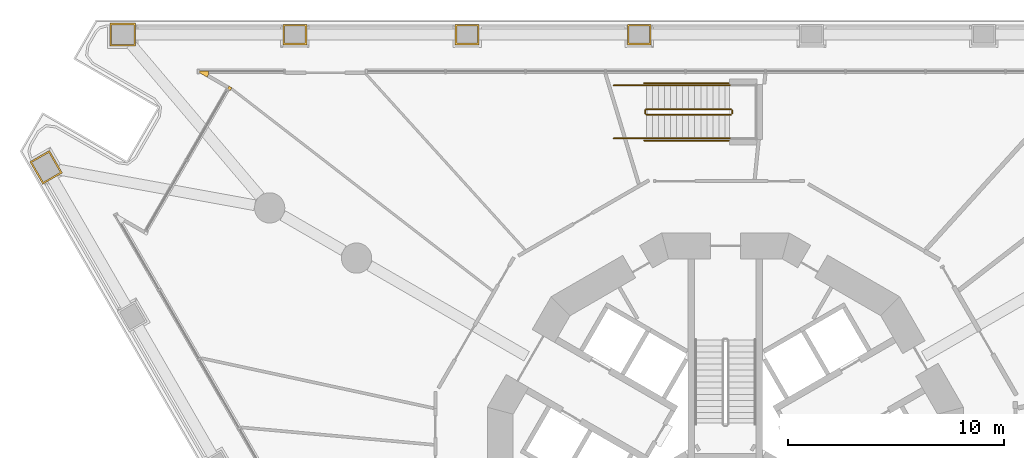
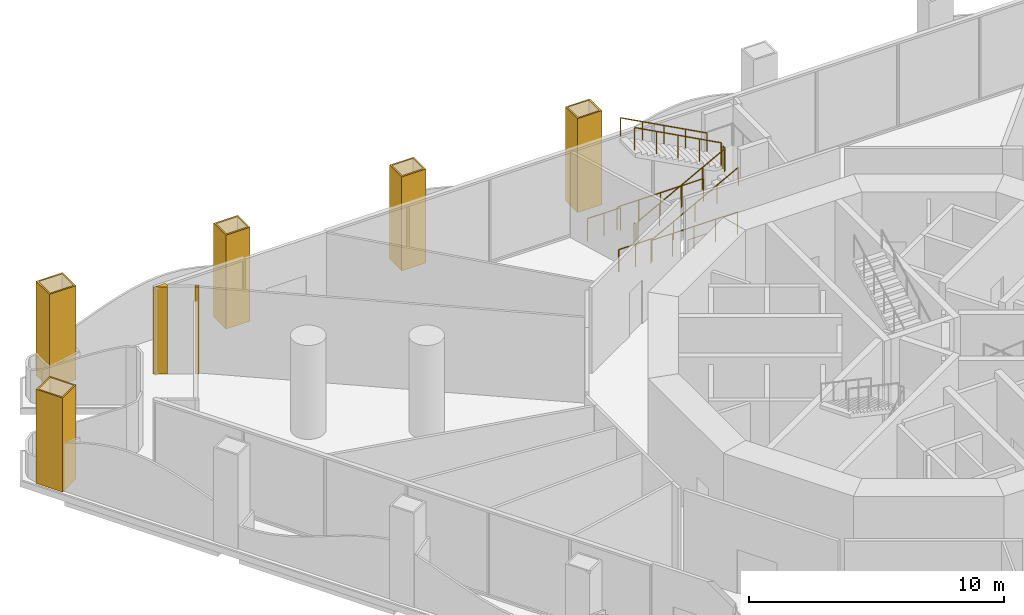
# One storey, part 21 of 23: 10 railings, 7 coverings.
"""IFC4 building model written with IfcOpenShell, lengths in metres."""

import ifcopenshell
import ifcopenshell.guid

model = None  # the IFC model being written
_history = None  # IfcOwnerHistory: only IFC2X3 demands one
_inside = {}  # id of a spatial element -> (the spatial element, [elements in it])
_under = {}  # id of a project, library or spatial element -> (it, [spatial elements below it])
_declared = {}  # id of a project -> (the project, [libraries it declares])
_typed = {}  # id of a type object -> (the type object, [elements of that type])
_made_of = {}  # id of a material, layer set ... -> (it, [elements and type objects made of it])


def new_model(schema):
    """Start an empty IFC model of exactly this schema.

    Asked for "IFC4X3", IfcOpenShell would pick the latest addendum, in which some entities
    have other attributes; the version numbers below select the first issue.
    IFC2X3 requires an IfcOwnerHistory on every rooted entity: one is made here for all.
    """
    global model, _history
    if schema == "IFC4X3":
        model = ifcopenshell.file(schema_version=(4, 3, 0, 0))
    else:
        model = ifcopenshell.file(schema=schema)
    _inside.clear()
    _under.clear()
    _declared.clear()
    _typed.clear()
    _made_of.clear()
    _history = None
    if model.schema == "IFC2X3":
        org = make("IfcOrganization", Name="unknown")
        user = make(
            "IfcPersonAndOrganization",
            ThePerson=make("IfcPerson", FamilyName="unknown"),
            TheOrganization=org,
        )
        app = make(
            "IfcApplication",
            ApplicationDeveloper=org,
            Version="unknown",
            ApplicationFullName="unknown",
            ApplicationIdentifier="unknown",
        )
        _history = make(
            "IfcOwnerHistory",
            OwningUser=user,
            OwningApplication=app,
            ChangeAction="ADDED",
            CreationDate=0,
        )
    return model


def make(cls, **values):
    """One entity of the class cls with the attributes given. An attribute that is None is left unset."""
    return model.create_entity(
        cls, **{name: value for name, value in values.items() if value is not None}
    )


def rooted(cls, **values):
    """An entity with a GlobalId (a new one), such as an element, a storey or a relation."""
    return make(cls, GlobalId=ifcopenshell.guid.new(), OwnerHistory=_history, **values)


def si_unit(unit_type, name, prefix=None):
    """IfcSIUnit, for example si_unit("LENGTHUNIT", "METRE", prefix="MILLI")."""
    return make("IfcSIUnit", UnitType=unit_type, Prefix=prefix, Name=name)


def assignment(units):
    """IfcUnitAssignment: the units of a project."""
    return None if units is None else make("IfcUnitAssignment", Units=units)


def point(xyz):
    """IfcCartesianPoint."""
    return None if xyz is None else make("IfcCartesianPoint", Coordinates=xyz)


def direction(xyz):
    """IfcDirection."""
    return None if xyz is None else make("IfcDirection", DirectionRatios=xyz)


def frame(location, z_axis=None, x_axis=None):
    """IfcAxis2Placement3D, a coordinate frame: its origin and axes. An axis left out is left unset."""
    return make(
        "IfcAxis2Placement3D",
        Location=point(location),
        Axis=direction(z_axis),
        RefDirection=direction(x_axis),
    )


def frame_2d(location, x_axis=None):
    """IfcAxis2Placement2D, a coordinate frame in the plane: its origin and x axis."""
    return make(
        "IfcAxis2Placement2D", Location=point(location), RefDirection=direction(x_axis)
    )


def origin():
    """The frame at (0, 0, 0) with its axes left unset."""
    return frame((0.0, 0.0, 0.0))


def origin_2d():
    """The frame at (0, 0) in the plane with its x axis left unset."""
    return frame_2d((0.0, 0.0))


def place(relative_to, where):
    """IfcLocalPlacement: puts the frame where relative to a parent placement (None: the world)."""
    return make(
        "IfcLocalPlacement", PlacementRelTo=relative_to, RelativePlacement=where
    )


def context(
    kind, dimensions, precision=None, world=None, true_north=None, identifier=None
):
    """IfcGeometricRepresentationContext, for example the 3D "Model" context."""
    return make(
        "IfcGeometricRepresentationContext",
        ContextIdentifier=identifier,
        ContextType=kind,
        CoordinateSpaceDimension=dimensions,
        Precision=precision,
        WorldCoordinateSystem=world,
        TrueNorth=true_north,
    )


def subcontext(parent, identifier, kind, view, scale=None):
    """IfcGeometricRepresentationSubContext, for example "Body" below "Model"."""
    return make(
        "IfcGeometricRepresentationSubContext",
        ContextIdentifier=identifier,
        ContextType=kind,
        ParentContext=parent,
        TargetScale=scale,
        TargetView=view,
    )


def project(units=None, contexts=None):
    """IfcProject with its units and contexts."""
    return rooted(
        "IfcProject",
        Name="project",
        RepresentationContexts=contexts,
        UnitsInContext=assignment(units),
    )


def spatial(cls, under=None, at=None, **own):
    """A site, building, storey or space (cls), placed at a placement, below another one or the project."""
    s = rooted(cls, ObjectPlacement=at, **own)
    if under is not None:
        _under.setdefault(under.id(), (under, []))[1].append(s)
    return s


def polyline(points):
    """IfcPolyline through the points."""
    return make("IfcPolyline", Points=[point(p) for p in points])


def profile(cls, at=None, kind="AREA", **sizes):
    """A parametric profile (cls). Its sizes go by their IFC names, for example OverallWidth=200.0."""
    return make(cls, ProfileType=kind, Position=at, **sizes)


def circle(**sizes):
    """IfcCircleProfileDef."""
    return profile("IfcCircleProfileDef", **sizes)


def outline(outer, holes=None, kind="AREA"):
    """IfcArbitraryClosedProfileDef: a profile drawn as a closed curve; with holes, ...WithVoids."""
    if holes is None:
        return make("IfcArbitraryClosedProfileDef", ProfileType=kind, OuterCurve=outer)
    return make(
        "IfcArbitraryProfileDefWithVoids",
        ProfileType=kind,
        OuterCurve=outer,
        InnerCurves=holes,
    )


def extrude(swept, where, along, depth):
    """IfcExtrudedAreaSolid: the profile swept, set in the frame where, extruded along a direction by depth."""
    return make(
        "IfcExtrudedAreaSolid",
        SweptArea=swept,
        Position=where,
        ExtrudedDirection=direction(along),
        Depth=depth,
    )


def shape(context_of_items, identifier, shape_type, items):
    """IfcShapeRepresentation: the items that make up one representation, for example the "Body"."""
    return make(
        "IfcShapeRepresentation",
        ContextOfItems=context_of_items,
        RepresentationIdentifier=identifier,
        RepresentationType=shape_type,
        Items=items,
    )


def material(Name=None, Category=None):
    """IfcMaterial."""
    return make("IfcMaterial", Name=Name, Category=Category)


def layer(
    of_material, thickness, ventilated=None, Name=None, Category=None, Priority=None
):
    """IfcMaterialLayer: one layer of a wall or slab, of a material (None: an air gap)."""
    return make(
        "IfcMaterialLayer",
        Material=of_material,
        LayerThickness=thickness,
        IsVentilated=ventilated,
        Name=Name,
        Category=Category,
        Priority=Priority,
    )


def layer_set(layers, Name=None):
    """IfcMaterialLayerSet."""
    return make("IfcMaterialLayerSet", MaterialLayers=layers, LayerSetName=Name)


def made_of(thing, what):
    """Note that an element or type object is made of a material, layer set ...; save() writes the relation."""
    if what is not None:
        _made_of.setdefault(what.id(), (what, []))[1].append(thing)
    return thing


def type_object(cls, material=None, **own):
    """A type object (cls), such as IfcWallType, which elements share."""
    return made_of(rooted(cls, **own), material)


def element(
    cls,
    number,
    at=None,
    inside=None,
    cuts=None,
    type_object=None,
    material=None,
    context=None,
    identifier="Body",
    shape_type=None,
    held_by="IfcProductDefinitionShape",
    body=None,
    shapes=None,
    **own,
):
    """One element of the class cls, such as IfcWall. Its Tag is "e" and its number.

    at: its placement. inside: the storey or other place that contains it. cuts: it is an
    opening in that element (IfcRelVoidsElement). A single representation is given by context,
    identifier, shape_type and body (its items); several are given by shapes. held_by: the class
    of the entity that holds the representations. save() writes the other relations.
    """
    e = rooted(cls, Tag="e%d" % number, ObjectPlacement=at, **own)
    if body is not None:
        shapes = [shape(context, identifier, shape_type, body)]
    if shapes is not None:
        e.Representation = make(held_by, Representations=shapes)
    if inside is not None:
        _inside.setdefault(inside.id(), (inside, []))[1].append(e)
    if cuts is not None:
        rooted(
            "IfcRelVoidsElement", RelatingBuildingElement=cuts, RelatedOpeningElement=e
        )
    if type_object is not None:
        _typed.setdefault(type_object.id(), (type_object, []))[1].append(e)
    return made_of(e, material)


def aggregate(whole, parts):
    """IfcRelAggregates: a whole, such as a stair, and the parts it consists of."""
    return rooted("IfcRelAggregates", RelatingObject=whole, RelatedObjects=parts)


def save(model, path):
    """Write the relations noted so far, then the file.

    IfcRelAggregates (storeys below a building ...), IfcRelContainedInSpatialStructure (elements
    in a storey), IfcRelDefinesByType, IfcRelAssociatesMaterial and IfcRelDeclares: one each for
    every whole, place, type object, material and project.
    """
    for whole, parts in _under.values():
        aggregate(whole, parts)
    for where, things in _inside.values():
        rooted(
            "IfcRelContainedInSpatialStructure",
            RelatedElements=things,
            RelatingStructure=where,
        )
    for kind, things in _typed.values():
        rooted("IfcRelDefinesByType", RelatedObjects=things, RelatingType=kind)
    for what, things in _made_of.values():
        rooted("IfcRelAssociatesMaterial", RelatedObjects=things, RelatingMaterial=what)
    for by, libraries in _declared.values():
        rooted("IfcRelDeclares", RelatingContext=by, RelatedDefinitions=libraries)
    model.write(path)


model = new_model("IFC4")

# Units and contexts
model_context = context("Model", 3, precision=1e-05, world=origin(), true_north=direction((0.0, 1.0)))
body_context = subcontext(model_context, "Body", "Model", "MODEL_VIEW")
ifc_project = project(units=[si_unit("LENGTHUNIT", "METRE"), si_unit("AREAUNIT", "SQUARE_METRE"), si_unit("VOLUMEUNIT", "CUBIC_METRE"), si_unit("PLANEANGLEUNIT", "RADIAN"), si_unit("MASSUNIT", "GRAM", prefix="KILO")], contexts=[model_context])

# Site, building, storey
site_placement = place(None, origin())
site = spatial("IfcSite", under=ifc_project, at=site_placement, CompositionType="ELEMENT")
building_placement = place(site_placement, origin())
building = spatial("IfcBuilding", under=site, at=building_placement, Name="Trine Commons Tower", CompositionType="ELEMENT")
storey_placement = place(building_placement, frame((0.0, 0.0, 18.0)))
storey = spatial("IfcBuildingStorey", under=building, at=storey_placement, Name="L03", CompositionType="ELEMENT", Elevation=18.0)

# Railings
ifc_material_1 = material(Name="Structural steel ASTM A500 Gr C", Category="steel")
railing_type_1 = type_object("IfcRailingType", Name="Glass and steel guard 1100 mm, ASTM A500 Gr C", PredefinedType="GUARDRAIL", material=ifc_material_1)
railing_1_placement = place(storey_placement, frame((76.340087890625, 78.985107421875, 0.14990234375)))
element("IfcRailing", 1, at=railing_1_placement, inside=storey, type_object=railing_type_1, Name="L03 PS1 stair guard 1", PredefinedType="GUARDRAIL", context=body_context, shape_type="SweptSolid", body=[
    extrude(circle(Radius=0.02392578125, at=origin_2d()), frame((0.0, 0.0, 1.076171875), z_axis=(0.881466911329, 0.0, 0.472245787945), x_axis=(0.0, 1.0, 0.0)), (0.0, 0.0, 1.0), 4.447021484375),
    extrude(circle(Radius=0.02099609375, at=origin_2d()), origin(), (0.0, 0.0, 1.0), 1.052001953125),
    extrude(circle(Radius=0.02099609375, at=origin_2d()), frame((0.97998046875, 0.0, 0.52490234375)), (0.0, 0.0, 1.0), 1.052001953125),
    extrude(circle(Radius=0.02099609375, at=origin_2d()), frame((1.9599609375, 0.0, 1.050048828125)), (0.0, 0.0, 1.0), 1.052001953125),
    extrude(circle(Radius=0.02099609375, at=origin_2d()), frame((2.93994140625, 0.0, 1.5751953125)), (0.0, 0.0, 1.0), 1.052001953125),
    extrude(circle(Radius=0.02099609375, at=origin_2d()), frame((3.919921875, 0.0, 2.10009765625)), (0.0, 0.0, 1.0), 1.052001953125),
])
railing_2_placement = place(storey_placement, frame((80.31005859375, 79.034912109375, 2.25)))
element("IfcRailing", 2, at=railing_2_placement, inside=storey, type_object=railing_type_1, Name="L03 PS1 stair guard 2", PredefinedType="GUARDRAIL", context=body_context, shape_type="SweptSolid", body=[
    extrude(circle(Radius=0.02392578125, at=origin_2d()), frame((0.0, 0.0, 1.076171875), z_axis=(0.0, 1.0, 0.0), x_axis=(-1.0, 0.0, 0.0)), (0.0, 0.0, 1.0), 0.150146484375),
    extrude(circle(Radius=0.02099609375, at=origin_2d()), origin(), (0.0, 0.0, 1.0), 1.052001953125),
    extrude(circle(Radius=0.02099609375, at=origin_2d()), frame((0.0, 0.150146484375, 0.0)), (0.0, 0.0, 1.0), 1.052001953125),
])
railing_3_placement = place(storey_placement, frame((80.260009765625, 79.235107421875, 2.39990234375)))
element("IfcRailing", 3, at=railing_3_placement, inside=storey, type_object=railing_type_1, Name="L03 PS1 stair guard 6", PredefinedType="GUARDRAIL", context=body_context, shape_type="SweptSolid", body=[
    extrude(circle(Radius=0.02392578125, at=origin_2d()), frame((0.0, 0.0, 1.076171875), z_axis=(-0.881466911329, 0.0, 0.472245787945), x_axis=(0.0, -1.0, 0.0)), (0.0, 0.0, 1.0), 4.447021484375),
    extrude(circle(Radius=0.02099609375, at=origin_2d()), origin(), (0.0, 0.0, 1.0), 1.052001953125),
    extrude(circle(Radius=0.02099609375, at=origin_2d()), frame((-0.97998046875, 0.0, 0.52490234375)), (0.0, 0.0, 1.0), 1.052001953125),
    extrude(circle(Radius=0.02099609375, at=origin_2d()), frame((-1.9599609375, 0.0, 1.050048828125)), (0.0, 0.0, 1.0), 1.052001953125),
    extrude(circle(Radius=0.02099609375, at=origin_2d()), frame((-2.93994140625, 0.0, 1.5751953125)), (0.0, 0.0, 1.0), 1.052001953125),
    extrude(circle(Radius=0.02099609375, at=origin_2d()), frame((-3.919921875, 0.0, 2.10009765625)), (0.0, 0.0, 1.0), 1.052001953125),
])
railing_4_placement = place(storey_placement, frame((76.2900390625, 79.034912109375, 0.0)))
element("IfcRailing", 4, at=railing_4_placement, inside=storey, type_object=railing_type_1, Name="L03 PS1 stair guard 7", PredefinedType="GUARDRAIL", context=body_context, shape_type="SweptSolid", body=[
    extrude(circle(Radius=0.02392578125, at=origin_2d()), frame((0.0, 0.0, 1.076171875), z_axis=(0.0, 1.0, 0.0), x_axis=(-1.0, 0.0, 0.0)), (0.0, 0.0, 1.0), 0.150146484375),
    extrude(circle(Radius=0.02099609375, at=origin_2d()), origin(), (0.0, 0.0, 1.0), 1.052001953125),
    extrude(circle(Radius=0.02099609375, at=origin_2d()), frame((0.0, 0.150146484375, 0.0)), (0.0, 0.0, 1.0), 1.052001953125),
])
for number, where, name in (
    (5, (74.840087890625, 77.885009765625, 0.0), "L03 PS1 stair guard 8"),
    (6, (74.840087890625, 80.3349609375, 0.0), "L03 PS1 stair guard 9"),
):
    element("IfcRailing", number, at=place(storey_placement, frame(where)), inside=storey, type_object=railing_type_1, Name=name, PredefinedType="GUARDRAIL", context=body_context, shape_type="SweptSolid", body=[
        extrude(circle(Radius=0.02392578125, at=origin_2d()), frame((0.0, 0.0, 1.076171875), z_axis=(1.0, 0.0, 0.0), x_axis=(0.0, 1.0, 0.0)), (0.0, 0.0, 1.0), 1.5),
        extrude(circle(Radius=0.02099609375, at=origin_2d()), origin(), (0.0, 0.0, 1.0), 1.052001953125),
        extrude(circle(Radius=0.02099609375, at=origin_2d()), frame((0.75, 0.0, 0.0)), (0.0, 0.0, 1.0), 1.052001953125),
        extrude(circle(Radius=0.02099609375, at=origin_2d()), frame((1.5, 0.0, 0.0)), (0.0, 0.0, 1.0), 1.052001953125),
    ])
for number, where, name in (
    (7, (76.239990234375, 77.784912109375, 0.0), "L03 PS1 stair guard 10"),
    (8, (76.239990234375, 80.43505859375, 0.0), "L03 PS1 stair guard 11"),
):
    element("IfcRailing", number, at=place(storey_placement, frame(where)), inside=storey, type_object=railing_type_1, Name=name, PredefinedType="GUARDRAIL", context=body_context, shape_type="SweptSolid", body=[
        extrude(circle(Radius=0.02392578125, at=origin_2d()), frame((0.0, 0.0, 1.076171875), z_axis=(1.0, 0.0, 0.0), x_axis=(0.0, 1.0, 0.0)), (0.0, 0.0, 1.0), 3.909912109375),
        extrude(circle(Radius=0.02099609375, at=origin_2d()), origin(), (0.0, 0.0, 1.0), 1.052001953125),
        extrude(circle(Radius=0.02099609375, at=origin_2d()), frame((0.9775390625, 0.0, 0.0)), (0.0, 0.0, 1.0), 1.052001953125),
        extrude(circle(Radius=0.02099609375, at=origin_2d()), frame((1.955078125, 0.0, 0.0)), (0.0, 0.0, 1.0), 1.052001953125),
        extrude(circle(Radius=0.02099609375, at=origin_2d()), frame((2.932373046875, 0.0, 0.0)), (0.0, 0.0, 1.0), 1.052001953125),
        extrude(circle(Radius=0.02099609375, at=origin_2d()), frame((3.909912109375, 0.0, 0.0)), (0.0, 0.0, 1.0), 1.052001953125),
    ])

# Coverings
ifc_material_2 = material(Name="Aluminium-framed insulated wall panel", Category="aluminium")
ifc_layer_1 = layer(ifc_material_2, 0.14990234375)
ifc_layer_set_1 = layer_set([ifc_layer_1], Name="Aluminium-framed insulated wall panel")
covering_type_1 = type_object("IfcCoveringType", Name="Glazing corner post, aluminium", PredefinedType="CLADDING", material=ifc_layer_set_1)
covering_1_placement = place(storey_placement, origin())
element("IfcCovering", 9, at=covering_1_placement, inside=storey, type_object=covering_type_1, Name="Glazing corner post 1-03", PredefinedType="CLADDING", context=body_context, shape_type="SweptSolid", body=[
    extrude(outline(polyline([(57.101318359375, 80.0966796875), (57.176513671875, 80.226806640625), (57.04638671875, 80.3017578125), (56.971435546875, 80.171875), (57.101318359375, 80.0966796875)])), origin(), (0.0, 0.0, 1.0), 4.14990234375),
])
covering_2_placement = place(storey_placement, origin())
element("IfcCovering", 10, at=covering_2_placement, inside=storey, type_object=covering_type_1, Name="Glazing corner post 1-04", PredefinedType="CLADDING", context=body_context, shape_type="SweptSolid", body=[
    extrude(outline(polyline([(56.03125, 80.714599609375), (56.106201171875, 80.844482421875), (56.106201171875, 80.99462890625), (55.54638671875, 80.99462890625), (56.03125, 80.714599609375)])), origin(), (0.0, 0.0, 1.0), 4.14990234375),
])
ifc_material_3 = material(Name="Limestone, honed", Category="masonry")
ifc_layer_2 = layer(ifc_material_3, 0.074951171875)
ifc_layer_set_2 = layer_set([ifc_layer_2], Name="Limestone, honed")
covering_type_2 = type_object("IfcCoveringType", Name="Limestone column cladding 75", PredefinedType="CLADDING", material=ifc_layer_set_2)
covering_3_placement = place(storey_placement, origin())
element("IfcCovering", 11, at=covering_3_placement, inside=storey, type_object=covering_type_2, Name="Limestone pier cladding 1-08", PredefinedType="CLADDING", context=body_context, shape_type="SweptSolid", body=[
    extrude(outline(polyline([(48.73828125, 77.327392578125), (47.8291015625, 76.802490234375), (48.428955078125, 75.76318359375), (49.33837890625, 76.288330078125), (48.73828125, 77.327392578125)]), holes=[polyline([(48.7109375, 77.22509765625), (47.931396484375, 76.775146484375), (48.45654296875, 75.86572265625), (49.23583984375, 76.315673828125), (48.7109375, 77.22509765625)])]), origin(), (0.0, 0.0, 1.0), 4.5),
])
covering_4_placement = place(storey_placement, origin())
element("IfcCovering", 12, at=covering_4_placement, inside=storey, type_object=covering_type_2, Name="Limestone pier cladding 1-09", PredefinedType="CLADDING", context=body_context, shape_type="SweptSolid", body=[
    extrude(outline(polyline([(52.728271484375, 82.15966796875), (52.728271484375, 83.209716796875), (51.5283203125, 83.209716796875), (51.5283203125, 82.15966796875), (52.728271484375, 82.15966796875)]), holes=[polyline([(52.6533203125, 82.234619140625), (52.6533203125, 83.134521484375), (51.603271484375, 83.134521484375), (51.603271484375, 82.234619140625), (52.6533203125, 82.234619140625)])]), origin(), (0.0, 0.0, 1.0), 4.5),
])
covering_5_placement = place(storey_placement, origin())
element("IfcCovering", 13, at=covering_5_placement, inside=storey, type_object=covering_type_2, Name="Limestone pier cladding 1-10", PredefinedType="CLADDING", context=body_context, shape_type="SweptSolid", body=[
    extrude(outline(polyline([(60.6416015625, 82.209716796875), (60.6416015625, 83.15966796875), (59.54150390625, 83.15966796875), (59.54150390625, 82.209716796875), (60.6416015625, 82.209716796875)]), holes=[polyline([(60.566650390625, 82.28466796875), (60.566650390625, 83.084716796875), (59.61669921875, 83.084716796875), (59.61669921875, 82.28466796875), (60.566650390625, 82.28466796875)])]), origin(), (0.0, 0.0, 1.0), 4.5),
])
covering_6_placement = place(storey_placement, origin())
element("IfcCovering", 14, at=covering_6_placement, inside=storey, type_object=covering_type_2, Name="Limestone pier cladding 1-11", PredefinedType="CLADDING", context=body_context, shape_type="SweptSolid", body=[
    extrude(outline(polyline([(68.60498046875, 82.209716796875), (68.60498046875, 83.15966796875), (67.5048828125, 83.15966796875), (67.5048828125, 82.209716796875), (68.60498046875, 82.209716796875)]), holes=[polyline([(68.52978515625, 82.28466796875), (68.52978515625, 83.084716796875), (67.579833984375, 83.084716796875), (67.579833984375, 82.28466796875), (68.52978515625, 82.28466796875)])]), origin(), (0.0, 0.0, 1.0), 4.5),
])
covering_7_placement = place(storey_placement, origin())
element("IfcCovering", 15, at=covering_7_placement, inside=storey, type_object=covering_type_2, Name="Limestone pier cladding 1-12", PredefinedType="CLADDING", context=body_context, shape_type="SweptSolid", body=[
    extrude(outline(polyline([(76.568359375, 82.209716796875), (76.568359375, 83.15966796875), (75.46826171875, 83.15966796875), (75.46826171875, 82.209716796875), (76.568359375, 82.209716796875)]), holes=[polyline([(76.493408203125, 82.28466796875), (76.493408203125, 83.084716796875), (75.543212890625, 83.084716796875), (75.543212890625, 82.28466796875), (76.493408203125, 82.28466796875)])]), origin(), (0.0, 0.0, 1.0), 4.5),
])

# Railings
railing_type_2 = type_object("IfcRailingType", Name="Podium stair handrail 900 mm, ASTM A500 Gr C", PredefinedType="HANDRAIL", material=ifc_material_1)
railing_5_placement = place(storey_placement, frame((76.340087890625, 77.885009765625, 0.14990234375)))
element("IfcRailing", 16, at=railing_5_placement, inside=storey, type_object=railing_type_2, Name="L03 PS1 stair handrail 1", PredefinedType="HANDRAIL", context=body_context, shape_type="SweptSolid", body=[
    extrude(circle(Radius=0.02392578125, at=origin_2d()), frame((0.0, 0.0, 0.8759765625), z_axis=(0.881466911329, 0.0, 0.472245787945), x_axis=(0.0, 1.0, 0.0)), (0.0, 0.0, 1.0), 4.447021484375),
    extrude(circle(Radius=0.02099609375, at=origin_2d()), origin(), (0.0, 0.0, 1.0), 0.851806640625),
    extrude(circle(Radius=0.02099609375, at=origin_2d()), frame((0.97998046875, 0.0, 0.52490234375)), (0.0, 0.0, 1.0), 0.851806640625),
    extrude(circle(Radius=0.02099609375, at=origin_2d()), frame((1.9599609375, 0.0, 1.050048828125)), (0.0, 0.0, 1.0), 0.851806640625),
    extrude(circle(Radius=0.02099609375, at=origin_2d()), frame((2.93994140625, 0.0, 1.5751953125)), (0.0, 0.0, 1.0), 0.851806640625),
    extrude(circle(Radius=0.02099609375, at=origin_2d()), frame((3.919921875, 0.0, 2.10009765625)), (0.0, 0.0, 1.0), 0.851806640625),
])
railing_6_placement = place(storey_placement, frame((80.260009765625, 80.3349609375, 2.39990234375)))
element("IfcRailing", 17, at=railing_6_placement, inside=storey, type_object=railing_type_2, Name="L03 PS1 stair handrail 2", PredefinedType="HANDRAIL", context=body_context, shape_type="SweptSolid", body=[
    extrude(circle(Radius=0.02392578125, at=origin_2d()), frame((0.0, 0.0, 0.8759765625), z_axis=(-0.881466911329, 0.0, 0.472245787945), x_axis=(0.0, -1.0, 0.0)), (0.0, 0.0, 1.0), 4.447021484375),
    extrude(circle(Radius=0.02099609375, at=origin_2d()), origin(), (0.0, 0.0, 1.0), 0.851806640625),
    extrude(circle(Radius=0.02099609375, at=origin_2d()), frame((-0.97998046875, 0.0, 0.52490234375)), (0.0, 0.0, 1.0), 0.851806640625),
    extrude(circle(Radius=0.02099609375, at=origin_2d()), frame((-1.9599609375, 0.0, 1.050048828125)), (0.0, 0.0, 1.0), 0.851806640625),
    extrude(circle(Radius=0.02099609375, at=origin_2d()), frame((-2.93994140625, 0.0, 1.5751953125)), (0.0, 0.0, 1.0), 0.851806640625),
    extrude(circle(Radius=0.02099609375, at=origin_2d()), frame((-3.919921875, 0.0, 2.10009765625)), (0.0, 0.0, 1.0), 0.851806640625),
])

save(model, "model.ifc")
